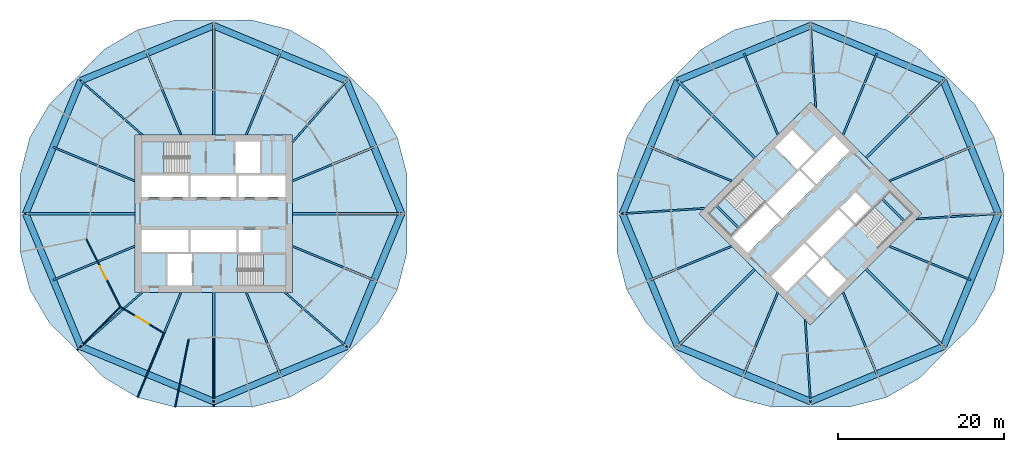
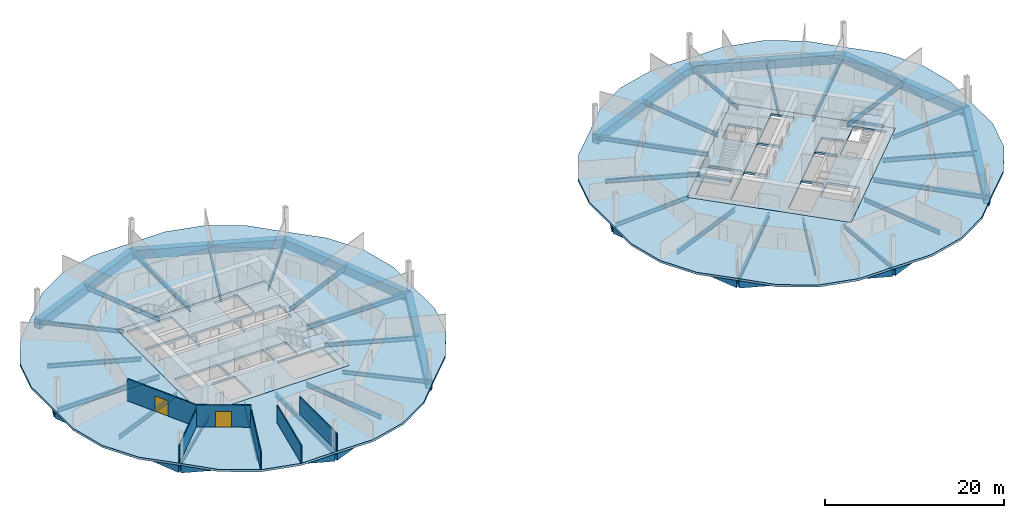
# One storey, part 3 of 9: 50 beams, 8 slabs, 6 walls, 2 doors, 2 openings, 4 elements without a shape of their own.
"""IFC4 building model written with IfcOpenShell, lengths in metres."""

import ifcopenshell
import ifcopenshell.guid

model = None  # the IFC model being written
_history = None  # IfcOwnerHistory: only IFC2X3 demands one
_inside = {}  # id of a spatial element -> (the spatial element, [elements in it])
_under = {}  # id of a project, library or spatial element -> (it, [spatial elements below it])
_declared = {}  # id of a project -> (the project, [libraries it declares])
_typed = {}  # id of a type object -> (the type object, [elements of that type])
_made_of = {}  # id of a material, layer set ... -> (it, [elements and type objects made of it])


def new_model(schema):
    """Start an empty IFC model of exactly this schema.

    Asked for "IFC4X3", IfcOpenShell would pick the latest addendum, in which some entities
    have other attributes; the version numbers below select the first issue.
    IFC2X3 requires an IfcOwnerHistory on every rooted entity: one is made here for all.
    """
    global model, _history
    if schema == "IFC4X3":
        model = ifcopenshell.file(schema_version=(4, 3, 0, 0))
    else:
        model = ifcopenshell.file(schema=schema)
    _inside.clear()
    _under.clear()
    _declared.clear()
    _typed.clear()
    _made_of.clear()
    _history = None
    if model.schema == "IFC2X3":
        org = make("IfcOrganization", Name="unknown")
        user = make(
            "IfcPersonAndOrganization",
            ThePerson=make("IfcPerson", FamilyName="unknown"),
            TheOrganization=org,
        )
        app = make(
            "IfcApplication",
            ApplicationDeveloper=org,
            Version="unknown",
            ApplicationFullName="unknown",
            ApplicationIdentifier="unknown",
        )
        _history = make(
            "IfcOwnerHistory",
            OwningUser=user,
            OwningApplication=app,
            ChangeAction="ADDED",
            CreationDate=0,
        )
    return model


def make(cls, **values):
    """One entity of the class cls with the attributes given. An attribute that is None is left unset."""
    return model.create_entity(
        cls, **{name: value for name, value in values.items() if value is not None}
    )


def rooted(cls, **values):
    """An entity with a GlobalId (a new one), such as an element, a storey or a relation."""
    return make(cls, GlobalId=ifcopenshell.guid.new(), OwnerHistory=_history, **values)


def si_unit(unit_type, name, prefix=None):
    """IfcSIUnit, for example si_unit("LENGTHUNIT", "METRE", prefix="MILLI")."""
    return make("IfcSIUnit", UnitType=unit_type, Prefix=prefix, Name=name)


def assignment(units):
    """IfcUnitAssignment: the units of a project."""
    return None if units is None else make("IfcUnitAssignment", Units=units)


def point(xyz):
    """IfcCartesianPoint."""
    return None if xyz is None else make("IfcCartesianPoint", Coordinates=xyz)


def direction(xyz):
    """IfcDirection."""
    return None if xyz is None else make("IfcDirection", DirectionRatios=xyz)


def frame(location, z_axis=None, x_axis=None):
    """IfcAxis2Placement3D, a coordinate frame: its origin and axes. An axis left out is left unset."""
    return make(
        "IfcAxis2Placement3D",
        Location=point(location),
        Axis=direction(z_axis),
        RefDirection=direction(x_axis),
    )


def frame_2d(location, x_axis=None):
    """IfcAxis2Placement2D, a coordinate frame in the plane: its origin and x axis."""
    return make(
        "IfcAxis2Placement2D", Location=point(location), RefDirection=direction(x_axis)
    )


def origin():
    """The frame at (0, 0, 0) with its axes left unset."""
    return frame((0.0, 0.0, 0.0))


def origin_2d():
    """The frame at (0, 0) in the plane with its x axis left unset."""
    return frame_2d((0.0, 0.0))


def place(relative_to, where):
    """IfcLocalPlacement: puts the frame where relative to a parent placement (None: the world)."""
    return make(
        "IfcLocalPlacement", PlacementRelTo=relative_to, RelativePlacement=where
    )


def context(
    kind, dimensions, precision=None, world=None, true_north=None, identifier=None
):
    """IfcGeometricRepresentationContext, for example the 3D "Model" context."""
    return make(
        "IfcGeometricRepresentationContext",
        ContextIdentifier=identifier,
        ContextType=kind,
        CoordinateSpaceDimension=dimensions,
        Precision=precision,
        WorldCoordinateSystem=world,
        TrueNorth=true_north,
    )


def subcontext(parent, identifier, kind, view, scale=None):
    """IfcGeometricRepresentationSubContext, for example "Body" below "Model"."""
    return make(
        "IfcGeometricRepresentationSubContext",
        ContextIdentifier=identifier,
        ContextType=kind,
        ParentContext=parent,
        TargetScale=scale,
        TargetView=view,
    )


def project(units=None, contexts=None):
    """IfcProject with its units and contexts."""
    return rooted(
        "IfcProject",
        Name="project",
        RepresentationContexts=contexts,
        UnitsInContext=assignment(units),
    )


def spatial(cls, under=None, at=None, **own):
    """A site, building, storey or space (cls), placed at a placement, below another one or the project."""
    s = rooted(cls, ObjectPlacement=at, **own)
    if under is not None:
        _under.setdefault(under.id(), (under, []))[1].append(s)
    return s


def polyline(points):
    """IfcPolyline through the points."""
    return make("IfcPolyline", Points=[point(p) for p in points])


def profile(cls, at=None, kind="AREA", **sizes):
    """A parametric profile (cls). Its sizes go by their IFC names, for example OverallWidth=200.0."""
    return make(cls, ProfileType=kind, Position=at, **sizes)


def rectangle(**sizes):
    """IfcRectangleProfileDef."""
    return profile("IfcRectangleProfileDef", **sizes)


def hollow_rectangle(**sizes):
    """IfcRectangleHollowProfileDef."""
    return profile("IfcRectangleHollowProfileDef", **sizes)


def i_section(**sizes):
    """IfcIShapeProfileDef."""
    return profile("IfcIShapeProfileDef", **sizes)


def outline(outer, holes=None, kind="AREA"):
    """IfcArbitraryClosedProfileDef: a profile drawn as a closed curve; with holes, ...WithVoids."""
    if holes is None:
        return make("IfcArbitraryClosedProfileDef", ProfileType=kind, OuterCurve=outer)
    return make(
        "IfcArbitraryProfileDefWithVoids",
        ProfileType=kind,
        OuterCurve=outer,
        InnerCurves=holes,
    )


def extrude(swept, where, along, depth):
    """IfcExtrudedAreaSolid: the profile swept, set in the frame where, extruded along a direction by depth."""
    return make(
        "IfcExtrudedAreaSolid",
        SweptArea=swept,
        Position=where,
        ExtrudedDirection=direction(along),
        Depth=depth,
    )


def shape(context_of_items, identifier, shape_type, items):
    """IfcShapeRepresentation: the items that make up one representation, for example the "Body"."""
    return make(
        "IfcShapeRepresentation",
        ContextOfItems=context_of_items,
        RepresentationIdentifier=identifier,
        RepresentationType=shape_type,
        Items=items,
    )


def material(Name=None, Category=None):
    """IfcMaterial."""
    return make("IfcMaterial", Name=Name, Category=Category)


def layer(
    of_material, thickness, ventilated=None, Name=None, Category=None, Priority=None
):
    """IfcMaterialLayer: one layer of a wall or slab, of a material (None: an air gap)."""
    return make(
        "IfcMaterialLayer",
        Material=of_material,
        LayerThickness=thickness,
        IsVentilated=ventilated,
        Name=Name,
        Category=Category,
        Priority=Priority,
    )


def layer_set(layers, Name=None):
    """IfcMaterialLayerSet."""
    return make("IfcMaterialLayerSet", MaterialLayers=layers, LayerSetName=Name)


def material_profile(
    of_material, cross_section, Name=None, Category=None, Priority=None
):
    """IfcMaterialProfile: a cross section and its material."""
    return make(
        "IfcMaterialProfile",
        Name=Name,
        Material=of_material,
        Profile=cross_section,
        Priority=Priority,
        Category=Category,
    )


def profile_set(profiles, Name=None, composite=None):
    """IfcMaterialProfileSet."""
    return make(
        "IfcMaterialProfileSet",
        Name=Name,
        MaterialProfiles=profiles,
        CompositeProfile=composite,
    )


def made_of(thing, what):
    """Note that an element or type object is made of a material, layer set ...; save() writes the relation."""
    if what is not None:
        _made_of.setdefault(what.id(), (what, []))[1].append(thing)
    return thing


def type_object(cls, material=None, **own):
    """A type object (cls), such as IfcWallType, which elements share."""
    return made_of(rooted(cls, **own), material)


def element(
    cls,
    number,
    at=None,
    inside=None,
    cuts=None,
    type_object=None,
    material=None,
    context=None,
    identifier="Body",
    shape_type=None,
    held_by="IfcProductDefinitionShape",
    body=None,
    shapes=None,
    **own,
):
    """One element of the class cls, such as IfcWall. Its Tag is "e" and its number.

    at: its placement. inside: the storey or other place that contains it. cuts: it is an
    opening in that element (IfcRelVoidsElement). A single representation is given by context,
    identifier, shape_type and body (its items); several are given by shapes. held_by: the class
    of the entity that holds the representations. save() writes the other relations.
    """
    e = rooted(cls, Tag="e%d" % number, ObjectPlacement=at, **own)
    if body is not None:
        shapes = [shape(context, identifier, shape_type, body)]
    if shapes is not None:
        e.Representation = make(held_by, Representations=shapes)
    if inside is not None:
        _inside.setdefault(inside.id(), (inside, []))[1].append(e)
    if cuts is not None:
        rooted(
            "IfcRelVoidsElement", RelatingBuildingElement=cuts, RelatedOpeningElement=e
        )
    if type_object is not None:
        _typed.setdefault(type_object.id(), (type_object, []))[1].append(e)
    return made_of(e, material)


def fill(opening, filler):
    """IfcRelFillsElement: the door or window that sits in an opening."""
    return rooted(
        "IfcRelFillsElement",
        RelatingOpeningElement=opening,
        RelatedBuildingElement=filler,
    )


def aggregate(whole, parts):
    """IfcRelAggregates: a whole, such as a stair, and the parts it consists of."""
    return rooted("IfcRelAggregates", RelatingObject=whole, RelatedObjects=parts)


def save(model, path):
    """Write the relations noted so far, then the file.

    IfcRelAggregates (storeys below a building ...), IfcRelContainedInSpatialStructure (elements
    in a storey), IfcRelDefinesByType, IfcRelAssociatesMaterial and IfcRelDeclares: one each for
    every whole, place, type object, material and project.
    """
    for whole, parts in _under.values():
        aggregate(whole, parts)
    for where, things in _inside.values():
        rooted(
            "IfcRelContainedInSpatialStructure",
            RelatedElements=things,
            RelatingStructure=where,
        )
    for kind, things in _typed.values():
        rooted("IfcRelDefinesByType", RelatedObjects=things, RelatingType=kind)
    for what, things in _made_of.values():
        rooted("IfcRelAssociatesMaterial", RelatedObjects=things, RelatingMaterial=what)
    for by, libraries in _declared.values():
        rooted("IfcRelDeclares", RelatingContext=by, RelatedDefinitions=libraries)
    model.write(path)


model = new_model("IFC4")

# Units and contexts
model_context = context("Model", 3, precision=1e-05, world=origin(), true_north=direction((0.0, 1.0)))
body_context = subcontext(model_context, "Body", "Model", "MODEL_VIEW")
ifc_project = project(units=[si_unit("LENGTHUNIT", "METRE"), si_unit("AREAUNIT", "SQUARE_METRE"), si_unit("VOLUMEUNIT", "CUBIC_METRE"), si_unit("PLANEANGLEUNIT", "RADIAN"), si_unit("MASSUNIT", "GRAM", prefix="KILO")], contexts=[model_context])

# Site, building, storey
site_placement = place(None, origin())
site = spatial("IfcSite", under=ifc_project, at=site_placement, CompositionType="ELEMENT")
building_placement = place(site_placement, origin())
building = spatial("IfcBuilding", under=site, at=building_placement, Name="Ogive Gate Towers", CompositionType="ELEMENT")
storey_placement = place(building_placement, frame((0.0, 0.0, 80.10009765625)))
storey = spatial("IfcBuildingStorey", under=building, at=storey_placement, Name="L18", CompositionType="ELEMENT", Elevation=80.10009765625)

# Beams
ifc_material_1 = material(Name="Steel SM460", Category="steel")
ifc_material_profile_1 = material_profile(ifc_material_1, hollow_rectangle(XDim=0.800048828125, YDim=1.199951171875, WallThickness=0.050048828125, at=origin_2d()), Name="BX 1200x800x50")
ifc_profile_set_1 = profile_set([ifc_material_profile_1], Name="Steel SM460")
beam_type_1 = type_object("IfcBeamType", Name="Edge girder BX 1200x800x50", PredefinedType="BEAM", material=ifc_profile_set_1)
for number, where, z_axis, x_axis, name in (
    (1, (-52.030029296875, -16.030029296875, -0.900146484375), (0.923878777792, -0.382685254414, 0.0), (0.382685254414, 0.923878777792, 0.0), "T1/L18/SBM017"),
    (2, (-36.0, -22.669921875, -0.900146484375), (0.923878777792, 0.382685254414, 0.0), (-0.382685254414, 0.923878777792, 0.0), "T1/L18/SBM018"),
    (3, (-19.969970703125, -16.030029296875, -0.900146484375), (0.382685254414, 0.923878777792, 0.0), (-0.923878777792, 0.382685254414, 0.0), "T1/L18/SBM019"),
    (4, (-13.330078125, 0.0, -0.900146484375), (-0.382685254414, 0.923878777792, 0.0), (-0.923878777792, -0.382685254414, 0.0), "T1/L18/SBM020"),
    (5, (-19.969970703125, 16.030029296875, -0.900146484375), (-0.923878777792, 0.382685254414, 0.0), (-0.382685254414, -0.923878777792, 0.0), "T1/L18/SBM021"),
    (6, (-36.0, 22.669921875, -0.900146484375), (-0.923878777792, -0.382685254414, 0.0), (0.382685254414, -0.923878777792, 0.0), "T1/L18/SBM022"),
    (7, (-52.030029296875, 16.030029296875, -0.900146484375), (-0.382685254414, -0.923878777792, 0.0), (0.923878777792, -0.382685254414, 0.0), "T1/L18/SBM023"),
    (8, (-58.669921875, 0.0, -0.900146484375), (0.382685254414, -0.923878777792, 0.0), (0.923878777792, 0.382685254414, 0.0), "T1/L18/SBM024"),
    (9, (19.969970703125, -16.030029296875, -0.900146484375), (0.923878777792, -0.382685254414, 0.0), (0.382685254414, 0.923878777792, 0.0), "T2/L18/SBM017"),
    (10, (36.0, -22.669921875, -0.900146484375), (0.923878777792, 0.382685254414, 0.0), (-0.382685254414, 0.923878777792, 0.0), "T2/L18/SBM018"),
    (11, (52.030029296875, -16.030029296875, -0.900146484375), (0.382685254414, 0.923878777792, 0.0), (-0.923878777792, 0.382685254414, 0.0), "T2/L18/SBM019"),
    (12, (58.669921875, 0.0, -0.900146484375), (-0.382685254414, 0.923878777792, 0.0), (-0.923878777792, -0.382685254414, 0.0), "T2/L18/SBM020"),
    (13, (52.030029296875, 16.030029296875, -0.900146484375), (-0.923878777792, 0.382685254414, 0.0), (-0.382685254414, -0.923878777792, 0.0), "T2/L18/SBM021"),
    (14, (36.0, 22.669921875, -0.900146484375), (-0.923878777792, -0.382685254414, 0.0), (0.382685254414, -0.923878777792, 0.0), "T2/L18/SBM022"),
    (15, (19.969970703125, 16.030029296875, -0.900146484375), (-0.382685254414, -0.923878777792, 0.0), (0.923878777792, -0.382685254414, 0.0), "T2/L18/SBM023"),
    (16, (13.330078125, 0.0, -0.900146484375), (0.382685254414, -0.923878777792, 0.0), (0.923878777792, 0.382685254414, 0.0), "T2/L18/SBM024"),
):
    element("IfcBeam", number, at=place(storey_placement, frame(where, z_axis=z_axis, x_axis=x_axis)), inside=storey, type_object=beam_type_1, Name=name, PredefinedType="BEAM", context=body_context, shape_type="SweptSolid", body=[
        extrude(hollow_rectangle(XDim=0.800048828125, YDim=1.199951171875, WallThickness=0.050048828125, at=origin_2d()), origin(), (0.0, 0.0, 1.0), 17.350830078125),
    ])
ifc_material_2 = material(Name="Concrete C40/50", Category="concrete")
ifc_material_profile_2 = material_profile(ifc_material_2, rectangle(XDim=0.25, YDim=0.300048828125, at=origin_2d()), Name="RC 250x300")
ifc_profile_set_2 = profile_set([ifc_material_profile_2], Name="Concrete C40/50")
beam_type_2 = type_object("IfcBeamType", Name="Landing bearer RC 250x300", PredefinedType="BEAM", material=ifc_profile_set_2)
for number, where, z_axis, x_axis, name in (
    (17, (24.650390625, 0.9541015625, 1.599853515625), (0.707106781187, -0.707106781187, 0.0), (0.707106781187, 0.707106781187, 0.0), "T2 L18 stair 1 landing bearer 1"),
    (18, (47.349609375, -0.9541015625, 1.599853515625), (-0.707106781187, 0.707106781187, 0.0), (-0.707106781187, -0.707106781187, 0.0), "T2 L18 stair 2 landing bearer 1"),
):
    element("IfcBeam", number, at=place(storey_placement, frame(where, z_axis=z_axis, x_axis=x_axis)), inside=storey, type_object=beam_type_2, Name=name, PredefinedType="BEAM", context=body_context, shape_type="SweptSolid", body=[
        extrude(rectangle(XDim=0.25, YDim=0.300048828125, at=origin_2d()), origin(), (0.0, 0.0, 1.0), 3.824951171875),
    ])
ifc_material_3 = material(Name="Steel SM355", Category="steel")
ifc_material_profile_3 = material_profile(ifc_material_3, i_section(OverallWidth=0.300048828125, OverallDepth=0.590087890625, WebThickness=0.012939453125, FlangeThickness=0.02490234375, FilletRadius=0.027099609375, at=origin_2d()), Name="HE 600 A")
ifc_profile_set_3 = profile_set([ifc_material_profile_3], Name="Steel SM355")
beam_type_3 = type_object("IfcBeamType", Name="Radial floor beam HE 600 A", PredefinedType="BEAM", material=ifc_profile_set_3)
for number, where, z_axis, x_axis, name in (
    (19, (-36.0, -9.5, -0.59521484375), (0.0, -1.0, 0.0), (1.0, 0.0, 0.0), "T1/L18/SBM003"),
    (20, (-26.5, 0.0, -0.59521484375), (1.0, 0.0, 0.0), (0.0, 1.0, 0.0), "T1/L18/SBM007"),
    (21, (-36.0, 9.5, -0.59521484375), (0.0, 1.0, 0.0), (-1.0, 0.0, 0.0), "T1/L18/SBM011"),
    (22, (-45.5, 0.0, -0.59521484375), (-1.0, 0.0, 0.0), (0.0, -1.0, 0.0), "T1/L18/SBM015"),
    (23, (29.282470703125, -6.717529296875, -0.59521484375), (-0.707106781187, -0.707106781187, 0.0), (0.707106781187, -0.707106781187, 0.0), "T2/L18/SBM001"),
    (24, (42.717529296875, -6.717529296875, -0.59521484375), (0.707106781187, -0.707106781187, 0.0), (0.707106781187, 0.707106781187, 0.0), "T2/L18/SBM005"),
    (25, (42.717529296875, 6.717529296875, -0.59521484375), (0.707106781187, 0.707106781187, 0.0), (-0.707106781187, 0.707106781187, 0.0), "T2/L18/SBM009"),
    (26, (29.282470703125, 6.717529296875, -0.59521484375), (-0.707106781187, 0.707106781187, 0.0), (-0.707106781187, -0.707106781187, 0.0), "T2/L18/SBM013"),
):
    element("IfcBeam", number, at=place(storey_placement, frame(where, z_axis=z_axis, x_axis=x_axis)), inside=storey, type_object=beam_type_3, Name=name, PredefinedType="BEAM", context=body_context, shape_type="SweptSolid", body=[
        extrude(i_section(OverallWidth=0.300048828125, OverallDepth=0.590087890625, WebThickness=0.012939453125, FlangeThickness=0.02490234375, FilletRadius=0.027099609375, at=origin_2d()), origin(), (0.0, 0.0, 1.0), 13.169921875),
    ])
ifc_material_profile_4 = material_profile(ifc_material_3, i_section(OverallWidth=0.2099609375, OverallDepth=0.550048828125, WebThickness=0.010986328125, FlangeThickness=0.01708984375, FilletRadius=0.02392578125, at=origin_2d()), Name="IPE 550")
ifc_profile_set_4 = profile_set([ifc_material_profile_4], Name="Steel SM355")
beam_type_4 = type_object("IfcBeamType", Name="Radial floor beam IPE 550", PredefinedType="BEAM", material=ifc_profile_set_4)
for number, where, z_axis, x_axis, name in (
    (27, (-44.60009765625, -9.5, -0.5751953125), (-0.751130036477, -0.660154276137, 0.0), (0.660154276137, -0.751130036477, 0.0), "T1/L18/SBM001"),
    (28, (-27.39990234375, -9.5, -0.5751953125), (0.751130036477, -0.660154276137, 0.0), (0.660154276137, 0.751130036477, 0.0), "T1/L18/SBM005"),
    (29, (-26.5, 8.60009765625, -0.5751953125), (0.660154276137, 0.751130036477, 0.0), (-0.751130036477, 0.660154276137, 0.0), "T1/L18/SBM009"),
    (30, (-44.60009765625, 9.5, -0.5751953125), (-0.751130036477, 0.660154276137, 0.0), (-0.660154276137, -0.751130036477, 0.0), "T1/L18/SBM013"),
):
    element("IfcBeam", number, at=place(storey_placement, frame(where, z_axis=z_axis, x_axis=x_axis)), inside=storey, type_object=beam_type_4, Name=name, PredefinedType="BEAM", context=body_context, shape_type="SweptSolid", body=[
        extrude(i_section(OverallWidth=0.2099609375, OverallDepth=0.550048828125, WebThickness=0.010986328125, FlangeThickness=0.01708984375, FilletRadius=0.02392578125, at=origin_2d()), origin(), (0.0, 0.0, 1.0), 9.8916015625),
    ])
for number, where, z_axis, x_axis, name in (
    (31, (35.363525390625, -12.798583984375, -0.5751953125), (0.064343427717, -0.997927814679, 0.0), (0.997927814679, 0.064343427717, 0.0), "T2/L18/SBM003"),
    (32, (48.798583984375, -0.636474609375, -0.5751953125), (0.997927814679, 0.064343427717, 0.0), (-0.064343427717, 0.997927814679, 0.0), "T2/L18/SBM007"),
    (33, (36.636474609375, 12.798583984375, -0.5751953125), (-0.064343427717, 0.997927814679, 0.0), (-0.997927814679, -0.064343427717, 0.0), "T2/L18/SBM011"),
    (34, (23.201416015625, 0.636474609375, -0.5751953125), (-0.997927814679, -0.064343427717, 0.0), (0.064343427717, -0.997927814679, 0.0), "T2/L18/SBM015"),
):
    element("IfcBeam", number, at=place(storey_placement, frame(where, z_axis=z_axis, x_axis=x_axis)), inside=storey, type_object=beam_type_4, Name=name, PredefinedType="BEAM", context=body_context, shape_type="SweptSolid", body=[
        extrude(i_section(OverallWidth=0.2099609375, OverallDepth=0.550048828125, WebThickness=0.010986328125, FlangeThickness=0.01708984375, FilletRadius=0.02392578125, at=origin_2d()), origin(), (0.0, 0.0, 1.0), 9.891845703125),
    ])
ifc_material_profile_5 = material_profile(ifc_material_3, i_section(OverallWidth=0.219970703125, OverallDepth=0.60009765625, WebThickness=0.011962890625, FlangeThickness=0.01904296875, FilletRadius=0.02392578125, at=origin_2d()), Name="IPE 600")
ifc_profile_set_5 = profile_set([ifc_material_profile_5], Name="Steel SM355")
beam_type_5 = type_object("IfcBeamType", Name="Radial floor beam IPE 600", PredefinedType="BEAM", material=ifc_profile_set_5)
for number, where, z_axis, x_axis, name in (
    (35, (-39.93505859375, -9.5, -0.60009765625), (-0.382686161148, -0.923878402208, 0.0), (0.923878402208, -0.382686161148, 0.0), "T1/L18/SBM002"),
    (36, (-32.06494140625, -9.5, -0.60009765625), (0.382686161148, -0.923878402208, 0.0), (0.923878402208, 0.382686161148, 0.0), "T1/L18/SBM004"),
    (37, (-26.5, -3.93505859375, -0.60009765625), (0.923878402208, -0.382686161148, 0.0), (0.382686161148, 0.923878402208, 0.0), "T1/L18/SBM006"),
    (38, (-26.5, 3.93505859375, -0.60009765625), (0.923878402208, 0.382686161148, 0.0), (-0.382686161148, 0.923878402208, 0.0), "T1/L18/SBM008"),
    (39, (-32.06494140625, 9.5, -0.60009765625), (0.382686161148, 0.923878402208, 0.0), (-0.923878402208, 0.382686161148, 0.0), "T1/L18/SBM010"),
    (40, (-39.93505859375, 9.5, -0.60009765625), (-0.382686161148, 0.923878402208, 0.0), (-0.923878402208, -0.382686161148, 0.0), "T1/L18/SBM012"),
    (41, (-45.5, 3.93505859375, -0.60009765625), (-0.923878402208, 0.382686161148, 0.0), (-0.382686161148, -0.923878402208, 0.0), "T1/L18/SBM014"),
    (42, (-45.5, -3.93505859375, -0.60009765625), (-0.923878402208, -0.382686161148, 0.0), (0.382686161148, -0.923878402208, 0.0), "T1/L18/SBM016"),
    (43, (32.06494140625, -9.5, -0.60009765625), (-0.382686161148, -0.923878402208, 0.0), (0.923878402208, -0.382686161148, 0.0), "T2/L18/SBM002"),
    (44, (39.93505859375, -9.5, -0.60009765625), (0.382686161148, -0.923878402208, 0.0), (0.923878402208, 0.382686161148, 0.0), "T2/L18/SBM004"),
    (45, (45.5, -3.93505859375, -0.60009765625), (0.923878402208, -0.382686161148, 0.0), (0.382686161148, 0.923878402208, 0.0), "T2/L18/SBM006"),
    (46, (45.5, 3.93505859375, -0.60009765625), (0.923878402208, 0.382686161148, 0.0), (-0.382686161148, 0.923878402208, 0.0), "T2/L18/SBM008"),
    (47, (39.93505859375, 9.5, -0.60009765625), (0.382686161148, 0.923878402208, 0.0), (-0.923878402208, 0.382686161148, 0.0), "T2/L18/SBM010"),
    (48, (32.06494140625, 9.5, -0.60009765625), (-0.382686161148, 0.923878402208, 0.0), (-0.923878402208, -0.382686161148, 0.0), "T2/L18/SBM012"),
    (49, (26.5, 3.93505859375, -0.60009765625), (-0.923878402208, 0.382686161148, 0.0), (-0.382686161148, -0.923878402208, 0.0), "T2/L18/SBM014"),
    (50, (26.5, -3.93505859375, -0.60009765625), (-0.923878402208, -0.382686161148, 0.0), (0.382686161148, -0.923878402208, 0.0), "T2/L18/SBM016"),
):
    element("IfcBeam", number, at=place(storey_placement, frame(where, z_axis=z_axis, x_axis=x_axis)), inside=storey, type_object=beam_type_5, Name=name, PredefinedType="BEAM", context=body_context, shape_type="SweptSolid", body=[
        extrude(i_section(OverallWidth=0.219970703125, OverallDepth=0.60009765625, WebThickness=0.011962890625, FlangeThickness=0.01904296875, FilletRadius=0.02392578125, at=origin_2d()), origin(), (0.0, 0.0, 1.0), 10.66162109375),
    ])

# Slabs
ifc_layer_1 = layer(ifc_material_2, 0.300048828125)
ifc_layer_set_1 = layer_set([ifc_layer_1], Name="Core slab C40/50 300 mm")
slab_type_1 = type_object("IfcSlabType", Name="Core slab C40/50 300 mm", PredefinedType="FLOOR", material=ifc_layer_set_1)
slab_1_placement = place(storey_placement, frame((0.0, 0.0, -0.300048828125)))
element("IfcSlab", 51, at=slab_1_placement, inside=storey, type_object=slab_type_1, Name="T1 L18 core slab", PredefinedType="FLOOR", context=body_context, shape_type="SweptSolid", body=[
    extrude(outline(polyline([(-26.5, 9.5), (-26.5, -9.5), (-45.5, -9.5), (-45.5, 9.5), (-26.5, 9.5)]), holes=[polyline([(-39.02490234375, 4.625), (-44.699951171875, 4.625), (-44.699951171875, 2.0), (-39.02490234375, 2.0), (-39.02490234375, 4.625)]), polyline([(-33.22509765625, 2.0), (-33.22509765625, 4.625), (-38.77490234375, 4.625), (-38.77490234375, 2.0), (-33.22509765625, 2.0)]), polyline([(-32.97509765625, 2.0), (-27.300048828125, 2.0), (-27.300048828125, 4.625), (-32.97509765625, 4.625), (-32.97509765625, 2.0)]), polyline([(-44.699951171875, -2.0), (-44.699951171875, -4.625), (-39.02490234375, -4.625), (-39.02490234375, -2.0), (-44.699951171875, -2.0)]), polyline([(-33.22509765625, -2.0), (-38.77490234375, -2.0), (-38.77490234375, -4.625), (-33.22509765625, -4.625), (-33.22509765625, -2.0)]), polyline([(-30.324951171875, -4.625), (-30.324951171875, -2.0), (-32.97509765625, -2.0), (-32.97509765625, -4.625), (-30.324951171875, -4.625)]), polyline([(-33.375, 4.875), (-30.425048828125, 4.875), (-30.425048828125, 8.699951171875), (-33.375, 8.699951171875), (-33.375, 4.875)]), polyline([(-41.574951171875, -4.875), (-41.574951171875, -8.699951171875), (-38.625, -8.699951171875), (-38.625, -4.875), (-41.574951171875, -4.875)]), polyline([(-44.699951171875, 4.875), (-38.885009765625, 4.875), (-38.885009765625, 8.699951171875), (-44.699951171875, 8.699951171875), (-44.699951171875, 4.875)]), polyline([(-27.300048828125, -8.699951171875), (-27.300048828125, -4.875), (-33.114990234375, -4.875), (-33.114990234375, -8.699951171875), (-27.300048828125, -8.699951171875)])]), origin(), (0.0, 0.0, 1.0), 0.300048828125),
])
slab_2_placement = place(storey_placement, frame((0.0, 0.0, -0.300048828125)))
element("IfcSlab", 52, at=slab_2_placement, inside=storey, type_object=slab_type_1, Name="T2 L18 core slab", PredefinedType="FLOOR", context=body_context, shape_type="SweptSolid", body=[
    extrude(outline(polyline([(36.0, 13.43505859375), (49.43505859375, 0.0), (36.0, -13.43505859375), (22.56494140625, 0.0), (36.0, 13.43505859375)]), holes=[polyline([(30.590576171875, 1.13134765625), (26.577880859375, -2.881591796875), (28.43408203125, -4.737548828125), (32.44677734375, -0.724853515625), (30.590576171875, 1.13134765625)]), polyline([(36.548095703125, 3.37646484375), (34.69189453125, 5.232666015625), (30.767333984375, 1.30810546875), (32.62353515625, -0.548095703125), (36.548095703125, 3.37646484375)]), polyline([(36.724853515625, 3.55322265625), (40.737548828125, 7.56591796875), (38.881591796875, 9.422119140625), (34.86865234375, 5.409423828125), (36.724853515625, 3.55322265625)]), polyline([(31.262451171875, -7.56591796875), (33.118408203125, -9.422119140625), (37.13134765625, -5.409423828125), (35.275146484375, -3.55322265625), (31.262451171875, -7.56591796875)]), polyline([(39.37646484375, 0.548095703125), (35.451904296875, -3.37646484375), (37.30810546875, -5.232666015625), (41.232666015625, -1.30810546875), (39.37646484375, 0.548095703125)]), polyline([(43.283203125, 0.742431640625), (41.427001953125, 2.5986328125), (39.55322265625, 0.724853515625), (41.409423828125, -1.13134765625), (43.283203125, 0.742431640625)]), polyline([(34.408935546875, 5.30322265625), (36.4951171875, 7.389404296875), (33.790283203125, 10.093994140625), (31.704345703125, 8.008056640625), (34.408935546875, 5.30322265625)]), polyline([(35.5048828125, -7.389404296875), (38.209716796875, -10.093994140625), (40.295654296875, -8.008056640625), (37.591064453125, -5.30322265625), (35.5048828125, -7.389404296875)]), polyline([(26.40087890625, -2.70458984375), (30.512939453125, 1.406982421875), (27.80810546875, 4.11181640625), (23.6962890625, 0.0), (26.40087890625, -2.70458984375)]), polyline([(48.3037109375, 0.0), (45.59912109375, 2.70458984375), (41.487060546875, -1.406982421875), (44.19189453125, -4.11181640625), (48.3037109375, 0.0)])]), origin(), (0.0, 0.0, 1.0), 0.300048828125),
])
ifc_material_4 = material(Name="Concrete C35/45", Category="concrete")
ifc_layer_2 = layer(ifc_material_4, 0.300048828125)
ifc_layer_set_2 = layer_set([ifc_layer_2], Name="Floor slab 300")
slab_type_2 = type_object("IfcSlabType", Name="Floor slab 300", PredefinedType="FLOOR", material=ifc_layer_set_2)
slab_3_placement = place(storey_placement, frame((0.0, 0.0, -0.300048828125)))
element("IfcSlab", 53, at=slab_3_placement, inside=storey, type_object=slab_type_2, Name="T1/L18/SSL001", PredefinedType="FLOOR", context=body_context, shape_type="SweptSolid", body=[
    extrude(outline(polyline([(-12.6572265625, -4.64306640625), (-12.699951171875, 0.0), (-12.6572265625, 4.64306640625), (-13.826904296875, 9.184326171875), (-16.2109375, 13.22265625), (-19.5244140625, 16.4755859375), (-22.77734375, 19.7890625), (-26.815673828125, 22.173095703125), (-31.35693359375, 23.3427734375), (-36.0, 23.300048828125), (-40.64306640625, 23.3427734375), (-45.184326171875, 22.173095703125), (-49.22265625, 19.7890625), (-52.4755859375, 16.4755859375), (-55.7890625, 13.22265625), (-58.173095703125, 9.184326171875), (-59.3427734375, 4.64306640625), (-59.300048828125, 0.0), (-59.3427734375, -4.64306640625), (-58.173095703125, -9.184326171875), (-55.7890625, -13.22265625), (-52.4755859375, -16.4755859375), (-49.22265625, -19.7890625), (-45.184326171875, -22.173095703125), (-40.64306640625, -23.3427734375), (-36.0, -23.300048828125), (-31.35693359375, -23.3427734375), (-26.815673828125, -22.173095703125), (-22.77734375, -19.7890625), (-19.5244140625, -16.4755859375), (-16.2109375, -13.22265625), (-13.826904296875, -9.184326171875), (-12.6572265625, -4.64306640625)]), holes=[polyline([(-26.5, -9.5), (-45.5, -9.5), (-45.5, 9.5), (-26.5, 9.5), (-26.5, -9.5)])]), origin(), (0.0, 0.0, 1.0), 0.300048828125),
])
slab_4_placement = place(storey_placement, frame((0.0, 0.0, -0.300048828125)))
element("IfcSlab", 54, at=slab_4_placement, inside=storey, type_object=slab_type_2, Name="T2/L18/SSL001", PredefinedType="FLOOR", context=body_context, shape_type="SweptSolid", body=[
    extrude(outline(polyline([(59.3427734375, -4.64306640625), (59.300048828125, 0.0), (59.3427734375, 4.64306640625), (58.173095703125, 9.184326171875), (55.7890625, 13.22265625), (52.4755859375, 16.4755859375), (49.22265625, 19.7890625), (45.184326171875, 22.173095703125), (40.64306640625, 23.3427734375), (36.0, 23.300048828125), (31.35693359375, 23.3427734375), (26.815673828125, 22.173095703125), (22.77734375, 19.7890625), (19.5244140625, 16.4755859375), (16.2109375, 13.22265625), (13.826904296875, 9.184326171875), (12.6572265625, 4.64306640625), (12.699951171875, 0.0), (12.6572265625, -4.64306640625), (13.826904296875, -9.184326171875), (16.2109375, -13.22265625), (19.5244140625, -16.4755859375), (22.77734375, -19.7890625), (26.815673828125, -22.173095703125), (31.35693359375, -23.3427734375), (36.0, -23.300048828125), (40.64306640625, -23.3427734375), (45.184326171875, -22.173095703125), (49.22265625, -19.7890625), (52.4755859375, -16.4755859375), (55.7890625, -13.22265625), (58.173095703125, -9.184326171875), (59.3427734375, -4.64306640625)]), holes=[polyline([(49.43505859375, 0.0), (36.0, -13.43505859375), (22.56494140625, 0.0), (36.0, 13.43505859375), (49.43505859375, 0.0)])]), origin(), (0.0, 0.0, 1.0), 0.300048828125),
])

# Stair, slab
stair_type = type_object("IfcStairType", Name="Escape stair 1840 wide", PredefinedType="HALF_TURN_STAIR", material=ifc_material_2)
stair_1_placement = place(storey_placement, origin())
stair_1 = element("IfcStair", 55, at=stair_1_placement, inside=storey, type_object=stair_type, Name="L18 Escape stair 1", PredefinedType="HALF_TURN_STAIR")
ifc_layer_3 = layer(ifc_material_2, 0.199951171875)
ifc_layer_set_3 = layer_set([ifc_layer_3], Name="Stair landing 200 mm")
slab_type_3 = type_object("IfcSlabType", Name="Stair landing 200 mm", PredefinedType="LANDING", material=ifc_layer_set_3)
slab_5_placement = place(storey_placement, frame((0.0, 0.0, 1.75)))
slab_5 = element("IfcSlab", 56, at=slab_5_placement, type_object=slab_type_3, Name="ST1 landing 1", PredefinedType="LANDING", context=body_context, shape_type="SweptSolid", body=[
    extrude(outline(polyline([(-42.00146484375, 8.699951171875), (-44.699951171875, 8.699951171875), (-44.699951171875, 4.875), (-42.00146484375, 4.875), (-42.00146484375, 8.699951171875)])), origin(), (0.0, 0.0, 1.0), 0.199951171875),
])
aggregate(stair_1, [slab_5])

stair_2_placement = place(storey_placement, origin())
stair_2 = element("IfcStair", 57, at=stair_2_placement, inside=storey, type_object=stair_type, Name="L18 Escape stair 2", PredefinedType="HALF_TURN_STAIR")
slab_6_placement = place(storey_placement, frame((0.0, 0.0, 1.75)))
slab_6 = element("IfcSlab", 58, at=slab_6_placement, type_object=slab_type_3, Name="ST2 landing 1", PredefinedType="LANDING", context=body_context, shape_type="SweptSolid", body=[
    extrude(outline(polyline([(-29.99853515625, -8.699951171875), (-27.300048828125, -8.699951171875), (-27.300048828125, -4.875), (-29.99853515625, -4.875), (-29.99853515625, -8.699951171875)])), origin(), (0.0, 0.0, 1.0), 0.199951171875),
])
aggregate(stair_2, [slab_6])

stair_3_placement = place(storey_placement, origin())
stair_3 = element("IfcStair", 59, at=stair_3_placement, inside=storey, type_object=stair_type, Name="L18 Escape stair 1", PredefinedType="HALF_TURN_STAIR")
slab_7_placement = place(storey_placement, frame((0.0, 0.0, 1.75)))
slab_7 = element("IfcSlab", 60, at=slab_7_placement, type_object=slab_type_3, Name="ST1 landing 1", PredefinedType="LANDING", context=body_context, shape_type="SweptSolid", body=[
    extrude(outline(polyline([(25.6044921875, 1.908203125), (23.6962890625, 0.0), (26.401123046875, -2.70458984375), (28.309326171875, -0.79638671875), (25.6044921875, 1.908203125)])), origin(), (0.0, 0.0, 1.0), 0.199951171875),
])
aggregate(stair_3, [slab_7])

stair_4_placement = place(storey_placement, origin())
stair_4 = element("IfcStair", 61, at=stair_4_placement, inside=storey, type_object=stair_type, Name="L18 Escape stair 2", PredefinedType="HALF_TURN_STAIR")
slab_8_placement = place(storey_placement, frame((0.0, 0.0, 1.75)))
slab_8 = element("IfcSlab", 62, at=slab_8_placement, type_object=slab_type_3, Name="ST2 landing 1", PredefinedType="LANDING", context=body_context, shape_type="SweptSolid", body=[
    extrude(outline(polyline([(46.3955078125, -1.908203125), (48.3037109375, 0.0), (45.598876953125, 2.70458984375), (43.690673828125, 0.79638671875), (46.3955078125, -1.908203125)])), origin(), (0.0, 0.0, 1.0), 0.199951171875),
])
aggregate(stair_4, [slab_8])

# Walls
ifc_material_5 = material(Name="Gypsum board partition")
ifc_layer_4 = layer(ifc_material_5, 0.125)
ifc_layer_set_4 = layer_set([ifc_layer_4], Name="Partition 125")
wall_type = type_object("IfcWallType", Name="Partition 125", PredefinedType="PARTITIONING", material=ifc_layer_set_4)
wall_1_placement = place(storey_placement, frame((-52.474853515625, -16.474853515625, 0.0), z_axis=(0.0, 0.0, 1.0), x_axis=(0.707106781187, 0.707106781187, 0.0)))
element("IfcWall", 63, at=wall_1_placement, inside=storey, type_object=wall_type, Name="Partition T1-L18-009", PredefinedType="PARTITIONING", context=body_context, shape_type="SweptSolid", body=[
    extrude(rectangle(XDim=7.32666015625, YDim=0.125, at=frame_2d((3.663330078125, 0.0))), origin(), (0.0, 0.0, 1.0), 2.39990234375),
])
for number, where, z_axis, x_axis, name in (
    (64, (-45.184326171875, -22.173095703125, 0.0), (0.0, 0.0, 1.0), (0.3826720415, 0.92388425068, 0.0), "Partition T1-L18-010"),
    (65, (-40.6357421875, -23.34375, 0.0), (0.0, 0.0, 1.0), (0.194779590765, 0.980847037525, 0.0), "Partition T1-L18-011"),
):
    element("IfcWall", number, at=place(storey_placement, frame(where, z_axis=z_axis, x_axis=x_axis)), inside=storey, type_object=wall_type, Name=name, PredefinedType="PARTITIONING", context=body_context, shape_type="SweptSolid", body=[
        extrude(rectangle(XDim=8.326416015625, YDim=0.125, at=frame_2d((4.1630859375, 0.0))), origin(), (0.0, 0.0, 1.0), 2.39990234375),
    ])
wall_2_placement = place(storey_placement, frame((-36.0, -23.299072265625, 0.0), z_axis=(0.0, 0.0, 1.0), x_axis=(0.0, 1.0, 0.0)))
element("IfcWall", 66, at=wall_2_placement, inside=storey, type_object=wall_type, Name="Partition T1-L18-012", PredefinedType="PARTITIONING", context=body_context, shape_type="SweptSolid", body=[
    extrude(rectangle(XDim=8.32666015625, YDim=0.125, at=frame_2d((4.163330078125, 0.0))), origin(), (0.0, 0.0, 1.0), 2.39990234375),
])

# Wall, opening, door
wall_3_placement = place(storey_placement, frame((-51.360595703125, -3.05029296875, 0.0), z_axis=(0.0, 0.0, 1.0), x_axis=(0.448150268207, -0.893958241254, 0.0)))
wall_3 = element("IfcWall", 67, at=wall_3_placement, inside=storey, type_object=wall_type, Name="Partition T1-L18-028", PredefinedType="PARTITIONING", context=body_context, shape_type="SweptSolid", body=[
    extrude(rectangle(XDim=9.17236328125, YDim=0.125, at=frame_2d((4.586181640625, 0.0))), origin(), (0.0, 0.0, 1.0), 3.0),
])
opening_1_placement = place(wall_3_placement, frame((3.68603515625, 0.0, 0.0)))
opening_1 = element("IfcOpeningElement", 68, at=opening_1_placement, cuts=wall_3, Name="Opening T1-L18-D13", PredefinedType="OPENING", context=body_context, shape_type="SweptSolid", body=[
    extrude(rectangle(XDim=1.800048828125, YDim=2.10009765625, at=frame_2d((0.89990234375, 1.050048828125))), frame((0.0, 0.072509765625, 0.0), z_axis=(0.0, -1.0, 0.0), x_axis=(1.0, 0.0, 0.0)), (0.0, 0.0, 1.0), 0.14501953125),
])
ifc_material_6 = material(Name="Timber door", Category="wood")
door_type = type_object("IfcDoorType", Name="Door pair 1800", OperationType="NOTDEFINED", PredefinedType="DOOR", material=ifc_material_6)
door_1_placement = place(opening_1_placement, origin())
door_1 = element("IfcDoor", 69, at=door_1_placement, inside=storey, type_object=door_type, Name="Door T1-L18-D13", OperationType="DOUBLE_DOOR_DOUBLE_SWING", OverallHeight=2.10009765625, OverallWidth=1.800048828125, PredefinedType="DOOR", context=body_context, shape_type="SweptSolid", body=[
    extrude(rectangle(XDim=1.800048828125, YDim=2.10009765625, at=frame_2d((0.89990234375, 1.050048828125))), frame((0.0, 0.02490234375, 0.0), z_axis=(0.0, -1.0, 0.0), x_axis=(1.0, 0.0, 0.0)), (0.0, 0.0, 1.0), 0.050048828125),
])
fill(opening_1, door_1)

wall_4_placement = place(storey_placement, frame((-47.25, -11.25, 0.0), z_axis=(0.0, 0.0, 1.0), x_axis=(0.856985133989, -0.515341129856, 0.0)))
wall_4 = element("IfcWall", 70, at=wall_4_placement, inside=storey, type_object=wall_type, Name="Partition T1-L18-029", PredefinedType="PARTITIONING", context=body_context, shape_type="SweptSolid", body=[
    extrude(rectangle(XDim=6.15625, YDim=0.125, at=frame_2d((3.078125, 0.0))), origin(), (0.0, 0.0, 1.0), 3.0),
])
opening_2_placement = place(wall_4_placement, frame((2.177978515625, 0.0, 0.0)))
opening_2 = element("IfcOpeningElement", 71, at=opening_2_placement, cuts=wall_4, Name="Opening T1-L18-D14", PredefinedType="OPENING", context=body_context, shape_type="SweptSolid", body=[
    extrude(rectangle(XDim=1.800048828125, YDim=2.10009765625, at=frame_2d((0.89990234375, 1.050048828125))), frame((0.0, 0.072509765625, 0.0), z_axis=(0.0, -1.0, 0.0), x_axis=(1.0, 0.0, 0.0)), (0.0, 0.0, 1.0), 0.14501953125),
])
door_2_placement = place(opening_2_placement, origin())
door_2 = element("IfcDoor", 72, at=door_2_placement, inside=storey, type_object=door_type, Name="Door T1-L18-D14", OperationType="DOUBLE_DOOR_DOUBLE_SWING", OverallHeight=2.10009765625, OverallWidth=1.800048828125, PredefinedType="DOOR", context=body_context, shape_type="SweptSolid", body=[
    extrude(rectangle(XDim=1.800048828125, YDim=2.10009765625, at=frame_2d((0.89990234375, 1.050048828125))), frame((0.0, 0.02490234375, 0.0), z_axis=(0.0, -1.0, 0.0), x_axis=(1.0, 0.0, 0.0)), (0.0, 0.0, 1.0), 0.050048828125),
])
fill(opening_2, door_2)

save(model, "model.ifc")
